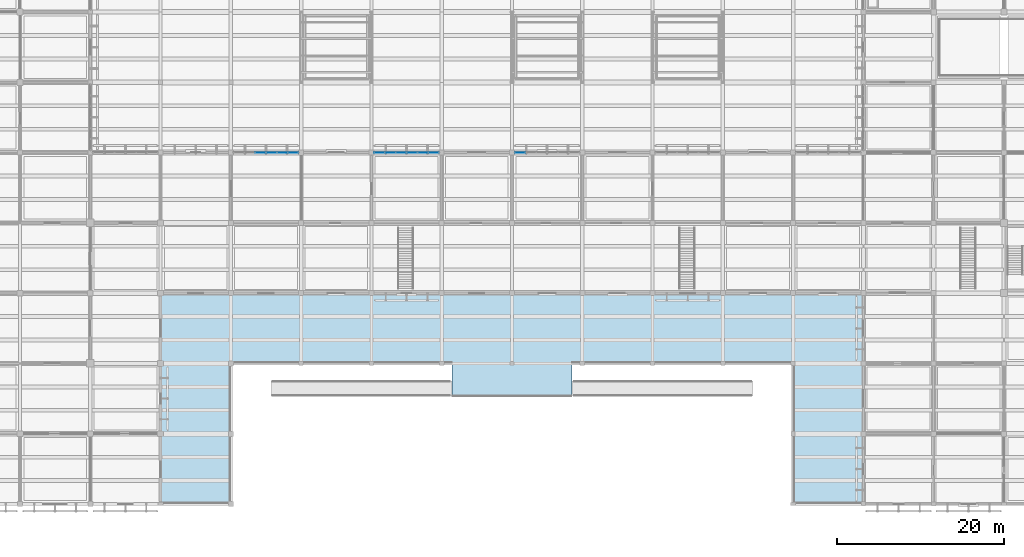
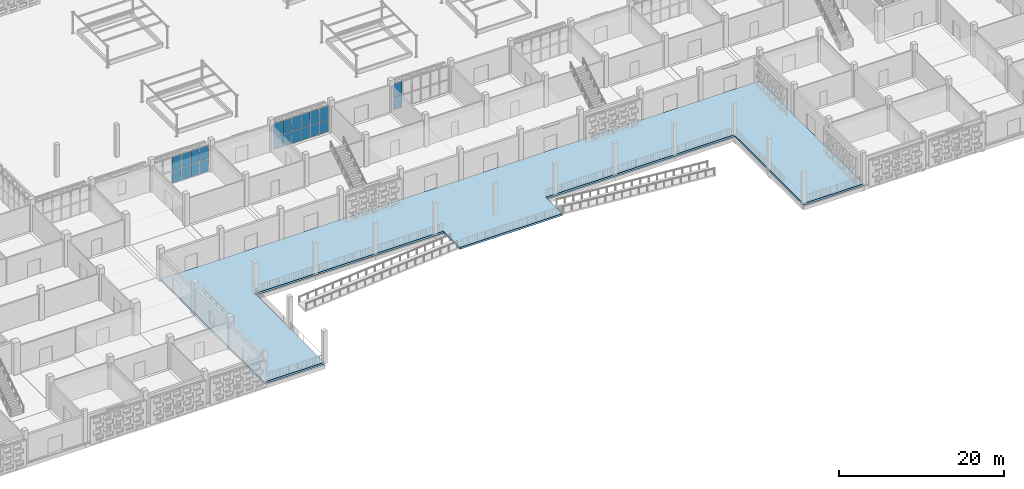
# One storey, part 46 of 129: 22 plates, 1 slab, 3 elements without a shape of their own.
"""IFC4 building model written with IfcOpenShell, lengths in metres."""

from ifc_helpers import new_model, si_unit, direction, frame, origin, origin_2d, place, context, subcontext, project, spatial, polyline, rectangle, outline, extrude, material, layer, layer_set, type_object, element, aggregate, save


model = new_model("IFC4")

# Units and contexts
model_context = context("Model", 3, precision=1e-05, world=origin(), true_north=direction((0.0, 1.0)))
body_context = subcontext(model_context, "Body", "Model", "MODEL_VIEW")
ifc_project = project(units=[si_unit("LENGTHUNIT", "METRE"), si_unit("AREAUNIT", "SQUARE_METRE"), si_unit("VOLUMEUNIT", "CUBIC_METRE"), si_unit("PLANEANGLEUNIT", "RADIAN"), si_unit("MASSUNIT", "GRAM", prefix="KILO")], contexts=[model_context])

# Site, building, storey
site_placement = place(None, origin())
site = spatial("IfcSite", under=ifc_project, at=site_placement, CompositionType="ELEMENT")
building_placement = place(site_placement, origin())
building = spatial("IfcBuilding", under=site, at=building_placement, Name="Varnapada Polytechnic", CompositionType="ELEMENT")
storey_placement = place(building_placement, origin())
storey = spatial("IfcBuildingStorey", under=building, at=storey_placement, Name="L00", CompositionType="ELEMENT", Elevation=0.0)

# Curtain wall, plates
ifc_material_1 = material(Name="Double low-E laminated glass", Category="glass")
ifc_layer_1 = layer(ifc_material_1, 0.159912109375)
ifc_layer_set_1 = layer_set([ifc_layer_1], Name="Double low-E laminated glass")
curtain_wall_type = type_object("IfcCurtainWallType", Name="Curtain Wall CW-01", PredefinedType="NOTDEFINED", material=ifc_layer_set_1)
curtain_wall_1_placement = place(storey_placement, origin())
curtain_wall_1 = element("IfcCurtainWall", 1, at=curtain_wall_1_placement, inside=storey, type_object=curtain_wall_type, Name="L00 unitised curtain wall CW-01 (6)", PredefinedType="NOTDEFINED")
ifc_layer_2 = layer(ifc_material_1, 0.028076171875)
ifc_layer_set_2 = layer_set([ifc_layer_2], Name="Double low-E laminated glass")
plate_type = type_object("IfcPlateType", Name="Curtain Panel PNL-01", PredefinedType="CURTAIN_PANEL", material=ifc_layer_set_2)
plate_1_placement = place(storey_placement, frame((62.35009765625, 42.0, 0.06005859375), z_axis=(0.0, 0.0, 1.0), x_axis=(1.0, 0.0, 0.0)))
plate_1 = element("IfcPlate", 2, at=plate_1_placement, type_object=plate_type, Name="CW-01 panel 3.1", PredefinedType="CURTAIN_PANEL", context=body_context, shape_type="SweptSolid", body=[
    extrude(rectangle(XDim=1.239990234375, YDim=0.028076171875, at=origin_2d()), origin(), (0.0, 0.0, 1.0), 1.810791015625),
])
plate_2_placement = place(storey_placement, frame((62.35009765625, 42.0, 1.9306640625), z_axis=(0.0, 0.0, 1.0), x_axis=(1.0, 0.0, 0.0)))
plate_2 = element("IfcPlate", 3, at=plate_2_placement, type_object=plate_type, Name="CW-01 panel 3.2", PredefinedType="CURTAIN_PANEL", context=body_context, shape_type="SweptSolid", body=[
    extrude(rectangle(XDim=1.239990234375, YDim=0.028076171875, at=origin_2d()), origin(), (0.0, 0.0, 1.0), 1.96923828125),
])
plate_3_placement = place(storey_placement, frame((63.64990234375, 42.0, 0.06005859375), z_axis=(0.0, 0.0, 1.0), x_axis=(1.0, 0.0, 0.0)))
plate_3 = element("IfcPlate", 4, at=plate_3_placement, type_object=plate_type, Name="CW-01 panel 4.1", PredefinedType="CURTAIN_PANEL", context=body_context, shape_type="SweptSolid", body=[
    extrude(rectangle(XDim=1.239990234375, YDim=0.028076171875, at=origin_2d()), origin(), (0.0, 0.0, 1.0), 1.810791015625),
])
plate_4_placement = place(storey_placement, frame((63.64990234375, 42.0, 1.9306640625), z_axis=(0.0, 0.0, 1.0), x_axis=(1.0, 0.0, 0.0)))
plate_4 = element("IfcPlate", 5, at=plate_4_placement, type_object=plate_type, Name="CW-01 panel 4.2", PredefinedType="CURTAIN_PANEL", context=body_context, shape_type="SweptSolid", body=[
    extrude(rectangle(XDim=1.239990234375, YDim=0.028076171875, at=origin_2d()), origin(), (0.0, 0.0, 1.0), 1.96923828125),
])
plate_5_placement = place(storey_placement, frame((64.949951171875, 42.0, 0.06005859375), z_axis=(0.0, 0.0, 1.0), x_axis=(1.0, 0.0, 0.0)))
plate_5 = element("IfcPlate", 6, at=plate_5_placement, type_object=plate_type, Name="CW-01 panel 5.1", PredefinedType="CURTAIN_PANEL", context=body_context, shape_type="SweptSolid", body=[
    extrude(rectangle(XDim=1.239990234375, YDim=0.028076171875, at=origin_2d()), origin(), (0.0, 0.0, 1.0), 1.810791015625),
])
plate_6_placement = place(storey_placement, frame((64.949951171875, 42.0, 1.9306640625), z_axis=(0.0, 0.0, 1.0), x_axis=(1.0, 0.0, 0.0)))
plate_6 = element("IfcPlate", 7, at=plate_6_placement, type_object=plate_type, Name="CW-01 panel 5.2", PredefinedType="CURTAIN_PANEL", context=body_context, shape_type="SweptSolid", body=[
    extrude(rectangle(XDim=1.239990234375, YDim=0.028076171875, at=origin_2d()), origin(), (0.0, 0.0, 1.0), 1.96923828125),
])
plate_7_placement = place(storey_placement, frame((66.235107421875, 42.0, 0.06005859375), z_axis=(0.0, 0.0, 1.0), x_axis=(1.0, 0.0, 0.0)))
plate_7 = element("IfcPlate", 8, at=plate_7_placement, type_object=plate_type, Name="CW-01 panel 6.1", PredefinedType="CURTAIN_PANEL", context=body_context, shape_type="SweptSolid", body=[
    extrude(rectangle(XDim=1.2099609375, YDim=0.028076171875, at=origin_2d()), origin(), (0.0, 0.0, 1.0), 1.810791015625),
])
plate_8_placement = place(storey_placement, frame((66.235107421875, 42.0, 1.9306640625), z_axis=(0.0, 0.0, 1.0), x_axis=(1.0, 0.0, 0.0)))
plate_8 = element("IfcPlate", 9, at=plate_8_placement, type_object=plate_type, Name="CW-01 panel 6.2", PredefinedType="CURTAIN_PANEL", context=body_context, shape_type="SweptSolid", body=[
    extrude(rectangle(XDim=1.2099609375, YDim=0.028076171875, at=origin_2d()), origin(), (0.0, 0.0, 1.0), 1.96923828125),
])
aggregate(curtain_wall_1, [plate_1, plate_2, plate_3, plate_4, plate_5, plate_6, plate_7, plate_8])

curtain_wall_2_placement = place(storey_placement, origin())
curtain_wall_2 = element("IfcCurtainWall", 10, at=curtain_wall_2_placement, inside=storey, type_object=curtain_wall_type, Name="L00 unitised curtain wall CW-01 (8)", PredefinedType="NOTDEFINED")
plate_9_placement = place(storey_placement, frame((76.56494140625, 42.0, 0.06005859375), z_axis=(0.0, 0.0, 1.0), x_axis=(1.0, 0.0, 0.0)))
plate_9 = element("IfcPlate", 11, at=plate_9_placement, type_object=plate_type, Name="CW-01 panel 1.1", PredefinedType="CURTAIN_PANEL", context=body_context, shape_type="SweptSolid", body=[
    extrude(rectangle(XDim=1.2099609375, YDim=0.028076171875, at=origin_2d()), origin(), (0.0, 0.0, 1.0), 1.810791015625),
])
plate_10_placement = place(storey_placement, frame((76.56494140625, 42.0, 1.9306640625), z_axis=(0.0, 0.0, 1.0), x_axis=(1.0, 0.0, 0.0)))
plate_10 = element("IfcPlate", 12, at=plate_10_placement, type_object=plate_type, Name="CW-01 panel 1.2", PredefinedType="CURTAIN_PANEL", context=body_context, shape_type="SweptSolid", body=[
    extrude(rectangle(XDim=1.2099609375, YDim=0.028076171875, at=origin_2d()), origin(), (0.0, 0.0, 1.0), 1.96923828125),
])
plate_11_placement = place(storey_placement, frame((77.85009765625, 42.0, 0.06005859375), z_axis=(0.0, 0.0, 1.0), x_axis=(1.0, 0.0, 0.0)))
plate_11 = element("IfcPlate", 13, at=plate_11_placement, type_object=plate_type, Name="CW-01 panel 2.1", PredefinedType="CURTAIN_PANEL", context=body_context, shape_type="SweptSolid", body=[
    extrude(rectangle(XDim=1.239990234375, YDim=0.028076171875, at=origin_2d()), origin(), (0.0, 0.0, 1.0), 1.810791015625),
])
plate_12_placement = place(storey_placement, frame((77.85009765625, 42.0, 1.9306640625), z_axis=(0.0, 0.0, 1.0), x_axis=(1.0, 0.0, 0.0)))
plate_12 = element("IfcPlate", 14, at=plate_12_placement, type_object=plate_type, Name="CW-01 panel 2.2", PredefinedType="CURTAIN_PANEL", context=body_context, shape_type="SweptSolid", body=[
    extrude(rectangle(XDim=1.239990234375, YDim=0.028076171875, at=origin_2d()), origin(), (0.0, 0.0, 1.0), 1.96923828125),
])
plate_13_placement = place(storey_placement, frame((79.14990234375, 42.0, 0.06005859375), z_axis=(0.0, 0.0, 1.0), x_axis=(1.0, 0.0, 0.0)))
plate_13 = element("IfcPlate", 15, at=plate_13_placement, type_object=plate_type, Name="CW-01 panel 3.1", PredefinedType="CURTAIN_PANEL", context=body_context, shape_type="SweptSolid", body=[
    extrude(rectangle(XDim=1.239990234375, YDim=0.028076171875, at=origin_2d()), origin(), (0.0, 0.0, 1.0), 1.810791015625),
])
plate_14_placement = place(storey_placement, frame((79.14990234375, 42.0, 1.9306640625), z_axis=(0.0, 0.0, 1.0), x_axis=(1.0, 0.0, 0.0)))
plate_14 = element("IfcPlate", 16, at=plate_14_placement, type_object=plate_type, Name="CW-01 panel 3.2", PredefinedType="CURTAIN_PANEL", context=body_context, shape_type="SweptSolid", body=[
    extrude(rectangle(XDim=1.239990234375, YDim=0.028076171875, at=origin_2d()), origin(), (0.0, 0.0, 1.0), 1.96923828125),
])
plate_15_placement = place(storey_placement, frame((80.449951171875, 42.0, 0.06005859375), z_axis=(0.0, 0.0, 1.0), x_axis=(1.0, 0.0, 0.0)))
plate_15 = element("IfcPlate", 17, at=plate_15_placement, type_object=plate_type, Name="CW-01 panel 4.1", PredefinedType="CURTAIN_PANEL", context=body_context, shape_type="SweptSolid", body=[
    extrude(rectangle(XDim=1.239990234375, YDim=0.028076171875, at=origin_2d()), origin(), (0.0, 0.0, 1.0), 1.810791015625),
])
plate_16_placement = place(storey_placement, frame((80.449951171875, 42.0, 1.9306640625), z_axis=(0.0, 0.0, 1.0), x_axis=(1.0, 0.0, 0.0)))
plate_16 = element("IfcPlate", 18, at=plate_16_placement, type_object=plate_type, Name="CW-01 panel 4.2", PredefinedType="CURTAIN_PANEL", context=body_context, shape_type="SweptSolid", body=[
    extrude(rectangle(XDim=1.239990234375, YDim=0.028076171875, at=origin_2d()), origin(), (0.0, 0.0, 1.0), 1.96923828125),
])
plate_17_placement = place(storey_placement, frame((81.75, 42.0, 0.06005859375), z_axis=(0.0, 0.0, 1.0), x_axis=(1.0, 0.0, 0.0)))
plate_17 = element("IfcPlate", 19, at=plate_17_placement, type_object=plate_type, Name="CW-01 panel 5.1", PredefinedType="CURTAIN_PANEL", context=body_context, shape_type="SweptSolid", body=[
    extrude(rectangle(XDim=1.239990234375, YDim=0.028076171875, at=origin_2d()), origin(), (0.0, 0.0, 1.0), 1.810791015625),
])
plate_18_placement = place(storey_placement, frame((81.75, 42.0, 1.9306640625), z_axis=(0.0, 0.0, 1.0), x_axis=(1.0, 0.0, 0.0)))
plate_18 = element("IfcPlate", 20, at=plate_18_placement, type_object=plate_type, Name="CW-01 panel 5.2", PredefinedType="CURTAIN_PANEL", context=body_context, shape_type="SweptSolid", body=[
    extrude(rectangle(XDim=1.239990234375, YDim=0.028076171875, at=origin_2d()), origin(), (0.0, 0.0, 1.0), 1.96923828125),
])
plate_19_placement = place(storey_placement, frame((83.034912109375, 42.0, 0.06005859375), z_axis=(0.0, 0.0, 1.0), x_axis=(1.0, 0.0, 0.0)))
plate_19 = element("IfcPlate", 21, at=plate_19_placement, type_object=plate_type, Name="CW-01 panel 6.1", PredefinedType="CURTAIN_PANEL", context=body_context, shape_type="SweptSolid", body=[
    extrude(rectangle(XDim=1.2099609375, YDim=0.028076171875, at=origin_2d()), origin(), (0.0, 0.0, 1.0), 1.810791015625),
])
plate_20_placement = place(storey_placement, frame((83.034912109375, 42.0, 1.9306640625), z_axis=(0.0, 0.0, 1.0), x_axis=(1.0, 0.0, 0.0)))
plate_20 = element("IfcPlate", 22, at=plate_20_placement, type_object=plate_type, Name="CW-01 panel 6.2", PredefinedType="CURTAIN_PANEL", context=body_context, shape_type="SweptSolid", body=[
    extrude(rectangle(XDim=1.2099609375, YDim=0.028076171875, at=origin_2d()), origin(), (0.0, 0.0, 1.0), 1.96923828125),
])
aggregate(curtain_wall_2, [plate_9, plate_10, plate_11, plate_12, plate_13, plate_14, plate_15, plate_16, plate_17, plate_18, plate_19, plate_20])

curtain_wall_3_placement = place(storey_placement, origin())
curtain_wall_3 = element("IfcCurtainWall", 23, at=curtain_wall_3_placement, inside=storey, type_object=curtain_wall_type, Name="L00 unitised curtain wall CW-01 (10)", PredefinedType="NOTDEFINED")
plate_21_placement = place(storey_placement, frame((93.364990234375, 42.0, 0.06005859375), z_axis=(0.0, 0.0, 1.0), x_axis=(1.0, 0.0, 0.0)))
plate_21 = element("IfcPlate", 24, at=plate_21_placement, type_object=plate_type, Name="CW-01 panel 1.1", PredefinedType="CURTAIN_PANEL", context=body_context, shape_type="SweptSolid", body=[
    extrude(rectangle(XDim=1.2099609375, YDim=0.028076171875, at=origin_2d()), origin(), (0.0, 0.0, 1.0), 1.810791015625),
])
plate_22_placement = place(storey_placement, frame((93.364990234375, 42.0, 1.9306640625), z_axis=(0.0, 0.0, 1.0), x_axis=(1.0, 0.0, 0.0)))
plate_22 = element("IfcPlate", 25, at=plate_22_placement, type_object=plate_type, Name="CW-01 panel 1.2", PredefinedType="CURTAIN_PANEL", context=body_context, shape_type="SweptSolid", body=[
    extrude(rectangle(XDim=1.2099609375, YDim=0.028076171875, at=origin_2d()), origin(), (0.0, 0.0, 1.0), 1.96923828125),
])
aggregate(curtain_wall_3, [plate_21, plate_22])

# Slab
ifc_material_2 = material(Name="Concrete C40/50", Category="concrete")
ifc_layer_3 = layer(ifc_material_2, 0.280029296875)
ifc_layer_set_3 = layer_set([ifc_layer_3], Name="Concrete C40/50")
slab_type = type_object("IfcSlabType", Name="L00 exterior colonnade and portico deck SL-03", PredefinedType="FLOOR", material=ifc_layer_set_3)
slab_placement = place(storey_placement, frame((0.0, 0.0, -0.280029296875)))
element("IfcSlab", 26, at=slab_placement, inside=storey, type_object=slab_type, Name="L00 COLONNADE slab 1.1", PredefinedType="FLOOR", context=body_context, shape_type="SweptSolid", body=[
    extrude(outline(polyline([(67.199951171875, 25.199951171875), (75.60009765625, 25.199951171875), (84.0, 25.199951171875), (92.39990234375, 25.199951171875), (100.800048828125, 25.199951171875), (109.199951171875, 25.199951171875), (117.60009765625, 25.199951171875), (126.0, 25.199951171875), (134.39990234375, 25.199951171875), (134.39990234375, 16.800048828125), (134.39990234375, 8.39990234375), (134.39990234375, 0.0), (126.0, 0.0), (126.0, 8.39990234375), (126.0, 16.800048828125), (117.60009765625, 16.800048828125), (109.199951171875, 16.800048828125), (100.800048828125, 16.800048828125), (99.60009765625, 16.800048828125), (99.60009765625, 12.800048828125), (85.199951171875, 12.800048828125), (85.199951171875, 16.800048828125), (84.0, 16.800048828125), (75.60009765625, 16.800048828125), (67.199951171875, 16.800048828125), (58.800048828125, 16.800048828125), (58.800048828125, 8.39990234375), (58.800048828125, 0.0), (50.39990234375, 0.0), (50.39990234375, 8.39990234375), (50.39990234375, 16.800048828125), (50.39990234375, 25.199951171875), (58.800048828125, 25.199951171875), (67.199951171875, 25.199951171875)])), origin(), (0.0, 0.0, 1.0), 0.280029296875),
])

save(model, "model.ifc")
